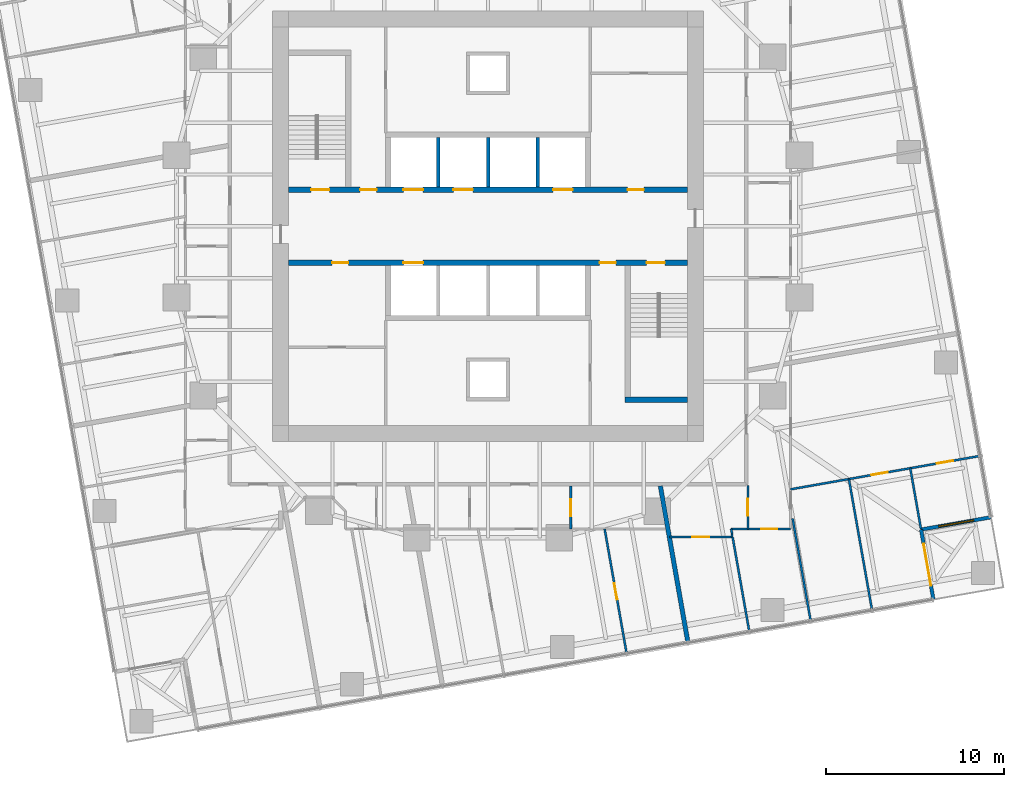
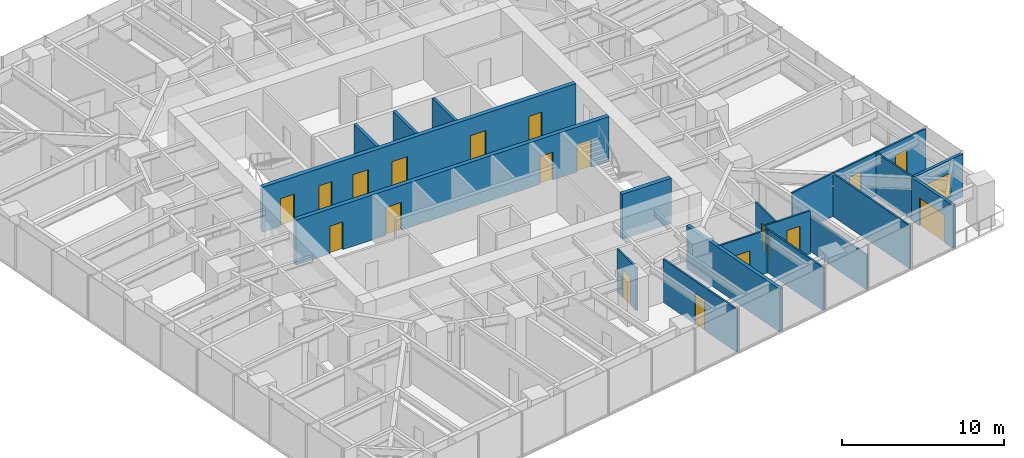
# One storey, part 10 of 14: 21 walls, 18 doors, 1 window, 19 openings.
"""IFC4 building model written with IfcOpenShell, lengths in metres."""

from ifc_helpers import new_model, si_unit, direction, frame, frame_2d, origin, place, context, subcontext, project, spatial, rectangle, extrude, material, layer, layer_set, type_object, element, fill, save


model = new_model("IFC4")

# Units and contexts
model_context = context("Model", 3, precision=1e-05, world=origin(), true_north=direction((0.0, 1.0)))
body_context = subcontext(model_context, "Body", "Model", "MODEL_VIEW")
ifc_project = project(units=[si_unit("LENGTHUNIT", "METRE"), si_unit("AREAUNIT", "SQUARE_METRE"), si_unit("VOLUMEUNIT", "CUBIC_METRE"), si_unit("PLANEANGLEUNIT", "RADIAN"), si_unit("MASSUNIT", "GRAM", prefix="KILO")], contexts=[model_context])

# Site, building, storey
site_placement = place(None, origin())
site = spatial("IfcSite", under=ifc_project, at=site_placement, CompositionType="ELEMENT")
building_placement = place(site_placement, origin())
building = spatial("IfcBuilding", under=site, at=building_placement, Name="Torsade Residences", CompositionType="ELEMENT")
storey_placement = place(building_placement, frame((0.0, 0.0, 79.39990234375)))
storey = spatial("IfcBuildingStorey", under=building, at=storey_placement, Name="L21", CompositionType="ELEMENT", Elevation=79.39990234375)

# Wall, openings, doors
ifc_material_1 = material(Name="Concrete 80 MPa", Category="concrete")
ifc_layer_1 = layer(ifc_material_1, 0.300048828125)
ifc_layer_set_1 = layer_set([ifc_layer_1], Name="Concrete 80 MPa")
wall_type_1 = type_object("IfcWallType", Name="CORE INTERNAL WALL 300", PredefinedType="SHEAR", material=ifc_layer_set_1)
wall_1_placement = place(storey_placement, frame((28.800048828125, 32.050048828125, 0.0), z_axis=(0.0, 0.0, 1.0), x_axis=(1.0, 0.0, 0.0)))
wall_1 = element("IfcWall", 1, at=wall_1_placement, inside=storey, type_object=wall_type_1, Name="Core wall LN L21", PredefinedType="SHEAR", context=body_context, shape_type="SweptSolid", body=[
    extrude(rectangle(XDim=22.39990234375, YDim=0.300048828125, at=frame_2d((11.199951171875, 0.0))), origin(), (0.0, 0.0, 1.0), 3.400146484375),
])
opening_1_placement = place(wall_1_placement, frame((19.0400390625, 0.0, 0.0)))
opening_1 = element("IfcOpeningElement", 2, at=opening_1_placement, cuts=wall_1, Name="Opening D06", PredefinedType="OPENING", context=body_context, shape_type="SweptSolid", body=[
    extrude(rectangle(XDim=0.919921875, YDim=2.10009765625, at=frame_2d((0.4599609375, 1.050048828125))), frame((0.0, 0.159912109375, 0.0), z_axis=(0.0, -1.0, 0.0), x_axis=(1.0, 0.0, 0.0)), (0.0, 0.0, 1.0), 0.320068359375),
])
opening_2_placement = place(wall_1_placement, frame((1.264892578125, 0.0, 0.0)))
opening_2 = element("IfcOpeningElement", 3, at=opening_2_placement, cuts=wall_1, Name="Opening D03", PredefinedType="OPENING", context=body_context, shape_type="SweptSolid", body=[
    extrude(rectangle(XDim=1.02001953125, YDim=2.10009765625, at=frame_2d((0.510009765625, 1.050048828125))), frame((0.0, 0.159912109375, 0.0), z_axis=(0.0, -1.0, 0.0), x_axis=(1.0, 0.0, 0.0)), (0.0, 0.0, 1.0), 0.320068359375),
])
opening_3_placement = place(wall_1_placement, frame((4.014892578125, 0.0, 0.0)))
opening_3 = element("IfcOpeningElement", 4, at=opening_3_placement, cuts=wall_1, Name="Opening D06", PredefinedType="OPENING", context=body_context, shape_type="SweptSolid", body=[
    extrude(rectangle(XDim=0.919921875, YDim=2.10009765625, at=frame_2d((0.4599609375, 1.050048828125))), frame((0.0, 0.159912109375, 0.0), z_axis=(0.0, -1.0, 0.0), x_axis=(1.0, 0.0, 0.0)), (0.0, 0.0, 1.0), 0.320068359375),
])
opening_4_placement = place(wall_1_placement, frame((6.449951171875, 0.0, 0.0)))
opening_4 = element("IfcOpeningElement", 5, at=opening_4_placement, cuts=wall_1, Name="Opening LD", PredefinedType="OPENING", context=body_context, shape_type="SweptSolid", body=[
    extrude(rectangle(XDim=1.10009765625, YDim=2.10009765625, at=frame_2d((0.550048828125, 1.050048828125))), frame((0.0, 0.159912109375, 0.0), z_axis=(0.0, -1.0, 0.0), x_axis=(1.0, 0.0, 0.0)), (0.0, 0.0, 1.0), 0.320068359375),
])
opening_5_placement = place(wall_1_placement, frame((9.25, 0.0, 0.0)))
opening_5 = element("IfcOpeningElement", 6, at=opening_5_placement, cuts=wall_1, Name="Opening LD", PredefinedType="OPENING", context=body_context, shape_type="SweptSolid", body=[
    extrude(rectangle(XDim=1.10009765625, YDim=2.10009765625, at=frame_2d((0.550048828125, 1.050048828125))), frame((0.0, 0.159912109375, 0.0), z_axis=(0.0, -1.0, 0.0), x_axis=(1.0, 0.0, 0.0)), (0.0, 0.0, 1.0), 0.320068359375),
])
opening_6_placement = place(wall_1_placement, frame((14.85009765625, 0.0, 0.0)))
opening_6 = element("IfcOpeningElement", 7, at=opening_6_placement, cuts=wall_1, Name="Opening LD", PredefinedType="OPENING", context=body_context, shape_type="SweptSolid", body=[
    extrude(rectangle(XDim=1.10009765625, YDim=2.10009765625, at=frame_2d((0.550048828125, 1.050048828125))), frame((0.0, 0.159912109375, 0.0), z_axis=(0.0, -1.0, 0.0), x_axis=(1.0, 0.0, 0.0)), (0.0, 0.0, 1.0), 0.320068359375),
])
ifc_material_2 = material(Name="Steel-framed fire door", Category="steel")
door_type_1 = type_object("IfcDoorType", Name="FIRE DOOR 1020", OperationType="NOTDEFINED", PredefinedType="DOOR", material=ifc_material_2)
door_1_placement = place(opening_2_placement, origin())
door_1 = element("IfcDoor", 8, at=door_1_placement, inside=storey, type_object=door_type_1, Name="Exit door to fire-isolated stair ST1 L21", OperationType="SINGLE_SWING_RIGHT", OverallHeight=2.10009765625, OverallWidth=1.02001953125, PredefinedType="DOOR", context=body_context, shape_type="SweptSolid", body=[
    extrude(rectangle(XDim=1.02001953125, YDim=2.10009765625, at=frame_2d((0.510009765625, 1.050048828125))), frame((0.0, 0.02490234375, 0.0), z_axis=(0.0, -1.0, 0.0), x_axis=(1.0, 0.0, 0.0)), (0.0, 0.0, 1.0), 0.050048828125),
])
fill(opening_2, door_1)
ifc_material_3 = material(Name="Steel-framed fire door", Category="steel")
door_type_2 = type_object("IfcDoorType", Name="FIRE DOOR 920", OperationType="NOTDEFINED", PredefinedType="DOOR", material=ifc_material_3)
door_2_placement = place(opening_1_placement, origin())
door_2 = element("IfcDoor", 9, at=door_2_placement, inside=storey, type_object=door_type_2, Name="Door Lift lobby to Refuse room", OperationType="SINGLE_SWING_LEFT", OverallHeight=2.10009765625, OverallWidth=0.919921875, PredefinedType="DOOR", context=body_context, shape_type="SweptSolid", body=[
    extrude(rectangle(XDim=0.919921875, YDim=2.10009765625, at=frame_2d((0.4599609375, 1.050048828125))), frame((0.0, 0.02490234375, 0.0), z_axis=(0.0, -1.0, 0.0), x_axis=(1.0, 0.0, 0.0)), (0.0, 0.0, 1.0), 0.050048828125),
])
fill(opening_1, door_2)
door_3_placement = place(opening_3_placement, origin())
door_3 = element("IfcDoor", 10, at=door_3_placement, inside=storey, type_object=door_type_2, Name="Door Lift lobby to Meter store", OperationType="SINGLE_SWING_LEFT", OverallHeight=2.10009765625, OverallWidth=0.919921875, PredefinedType="DOOR", context=body_context, shape_type="SweptSolid", body=[
    extrude(rectangle(XDim=0.919921875, YDim=2.10009765625, at=frame_2d((0.4599609375, 1.050048828125))), frame((0.0, 0.02490234375, 0.0), z_axis=(0.0, -1.0, 0.0), x_axis=(1.0, 0.0, 0.0)), (0.0, 0.0, 1.0), 0.050048828125),
])
fill(opening_3, door_3)
ifc_material_4 = material(Name="Stainless steel lift landing door", Category="steel")
door_type_3 = type_object("IfcDoorType", Name="LIFT LANDING DOOR 1100", OperationType="SLIDING_TO_LEFT", PredefinedType="DOOR", material=ifc_material_4)
door_4_placement = place(opening_4_placement, origin())
door_4 = element("IfcDoor", 11, at=door_4_placement, inside=storey, type_object=door_type_3, Name="Lift LA1 landing door L21", OperationType="SLIDING_TO_LEFT", OverallHeight=2.10009765625, OverallWidth=1.10009765625, PredefinedType="DOOR", context=body_context, shape_type="SweptSolid", body=[
    extrude(rectangle(XDim=1.10009765625, YDim=2.10009765625, at=frame_2d((0.550048828125, 1.050048828125))), frame((0.0, 0.02490234375, 0.0), z_axis=(0.0, -1.0, 0.0), x_axis=(1.0, 0.0, 0.0)), (0.0, 0.0, 1.0), 0.050048828125),
])
fill(opening_4, door_4)
door_5_placement = place(opening_5_placement, origin())
door_5 = element("IfcDoor", 12, at=door_5_placement, inside=storey, type_object=door_type_3, Name="Lift LA2 landing door L21", OperationType="SLIDING_TO_LEFT", OverallHeight=2.10009765625, OverallWidth=1.10009765625, PredefinedType="DOOR", context=body_context, shape_type="SweptSolid", body=[
    extrude(rectangle(XDim=1.10009765625, YDim=2.10009765625, at=frame_2d((0.550048828125, 1.050048828125))), frame((0.0, 0.02490234375, 0.0), z_axis=(0.0, -1.0, 0.0), x_axis=(1.0, 0.0, 0.0)), (0.0, 0.0, 1.0), 0.050048828125),
])
fill(opening_5, door_5)
door_6_placement = place(opening_6_placement, origin())
door_6 = element("IfcDoor", 13, at=door_6_placement, inside=storey, type_object=door_type_3, Name="Lift FL1 landing door L21", OperationType="SLIDING_TO_LEFT", OverallHeight=2.10009765625, OverallWidth=1.10009765625, PredefinedType="DOOR", context=body_context, shape_type="SweptSolid", body=[
    extrude(rectangle(XDim=1.10009765625, YDim=2.10009765625, at=frame_2d((0.550048828125, 1.050048828125))), frame((0.0, 0.02490234375, 0.0), z_axis=(0.0, -1.0, 0.0), x_axis=(1.0, 0.0, 0.0)), (0.0, 0.0, 1.0), 0.050048828125),
])
fill(opening_6, door_6)

wall_2_placement = place(storey_placement, frame((51.199951171875, 27.949951171875, 0.0), z_axis=(0.0, 0.0, 1.0), x_axis=(-1.0, 0.0, 0.0)))
wall_2 = element("IfcWall", 14, at=wall_2_placement, inside=storey, type_object=wall_type_1, Name="Core wall LS L21", PredefinedType="SHEAR", context=body_context, shape_type="SweptSolid", body=[
    extrude(rectangle(XDim=22.39990234375, YDim=0.300048828125, at=frame_2d((11.199951171875, 0.0))), origin(), (0.0, 0.0, 1.0), 3.400146484375),
])
opening_7_placement = place(wall_2_placement, frame((19.0400390625, 0.0, 0.0)))
opening_7 = element("IfcOpeningElement", 15, at=opening_7_placement, cuts=wall_2, Name="Opening D06", PredefinedType="OPENING", context=body_context, shape_type="SweptSolid", body=[
    extrude(rectangle(XDim=0.919921875, YDim=2.10009765625, at=frame_2d((0.4599609375, 1.050048828125))), frame((0.0, 0.159912109375, 0.0), z_axis=(0.0, -1.0, 0.0), x_axis=(1.0, 0.0, 0.0)), (0.0, 0.0, 1.0), 0.320068359375),
])
opening_8_placement = place(wall_2_placement, frame((1.264892578125, 0.0, 0.0)))
opening_8 = element("IfcOpeningElement", 16, at=opening_8_placement, cuts=wall_2, Name="Opening D03", PredefinedType="OPENING", context=body_context, shape_type="SweptSolid", body=[
    extrude(rectangle(XDim=1.02001953125, YDim=2.10009765625, at=frame_2d((0.510009765625, 1.050048828125))), frame((0.0, 0.159912109375, 0.0), z_axis=(0.0, -1.0, 0.0), x_axis=(1.0, 0.0, 0.0)), (0.0, 0.0, 1.0), 0.320068359375),
])
opening_9_placement = place(wall_2_placement, frame((4.014892578125, 0.0, 0.0)))
opening_9 = element("IfcOpeningElement", 17, at=opening_9_placement, cuts=wall_2, Name="Opening D06", PredefinedType="OPENING", context=body_context, shape_type="SweptSolid", body=[
    extrude(rectangle(XDim=0.919921875, YDim=2.10009765625, at=frame_2d((0.4599609375, 1.050048828125))), frame((0.0, 0.159912109375, 0.0), z_axis=(0.0, -1.0, 0.0), x_axis=(1.0, 0.0, 0.0)), (0.0, 0.0, 1.0), 0.320068359375),
])
opening_10_placement = place(wall_2_placement, frame((14.85009765625, 0.0, 0.0)))
opening_10 = element("IfcOpeningElement", 18, at=opening_10_placement, cuts=wall_2, Name="Opening LD", PredefinedType="OPENING", context=body_context, shape_type="SweptSolid", body=[
    extrude(rectangle(XDim=1.10009765625, YDim=2.10009765625, at=frame_2d((0.550048828125, 1.050048828125))), frame((0.0, 0.159912109375, 0.0), z_axis=(0.0, -1.0, 0.0), x_axis=(1.0, 0.0, 0.0)), (0.0, 0.0, 1.0), 0.320068359375),
])
door_7_placement = place(opening_8_placement, origin())
door_7 = element("IfcDoor", 19, at=door_7_placement, inside=storey, type_object=door_type_1, Name="Exit door to fire-isolated stair ST2 L21", OperationType="SINGLE_SWING_RIGHT", OverallHeight=2.10009765625, OverallWidth=1.02001953125, PredefinedType="DOOR", context=body_context, shape_type="SweptSolid", body=[
    extrude(rectangle(XDim=1.02001953125, YDim=2.10009765625, at=frame_2d((0.510009765625, 1.050048828125))), frame((0.0, 0.02490234375, 0.0), z_axis=(0.0, -1.0, 0.0), x_axis=(1.0, 0.0, 0.0)), (0.0, 0.0, 1.0), 0.050048828125),
])
fill(opening_8, door_7)
door_8_placement = place(opening_7_placement, origin())
door_8 = element("IfcDoor", 20, at=door_8_placement, inside=storey, type_object=door_type_2, Name="Door Lift lobby to Cleaner store", OperationType="SINGLE_SWING_LEFT", OverallHeight=2.10009765625, OverallWidth=0.919921875, PredefinedType="DOOR", context=body_context, shape_type="SweptSolid", body=[
    extrude(rectangle(XDim=0.919921875, YDim=2.10009765625, at=frame_2d((0.4599609375, 1.050048828125))), frame((0.0, 0.02490234375, 0.0), z_axis=(0.0, -1.0, 0.0), x_axis=(1.0, 0.0, 0.0)), (0.0, 0.0, 1.0), 0.050048828125),
])
fill(opening_7, door_8)
door_9_placement = place(opening_9_placement, origin())
door_9 = element("IfcDoor", 21, at=door_9_placement, inside=storey, type_object=door_type_2, Name="Door Lift lobby to Communications equipment store", OperationType="SINGLE_SWING_RIGHT", OverallHeight=2.10009765625, OverallWidth=0.919921875, PredefinedType="DOOR", context=body_context, shape_type="SweptSolid", body=[
    extrude(rectangle(XDim=0.919921875, YDim=2.10009765625, at=frame_2d((0.4599609375, 1.050048828125))), frame((0.0, 0.02490234375, 0.0), z_axis=(0.0, -1.0, 0.0), x_axis=(1.0, 0.0, 0.0)), (0.0, 0.0, 1.0), 0.050048828125),
])
fill(opening_9, door_9)
door_10_placement = place(opening_10_placement, origin())
door_10 = element("IfcDoor", 22, at=door_10_placement, inside=storey, type_object=door_type_3, Name="Lift FL2 landing door L21", OperationType="SLIDING_TO_LEFT", OverallHeight=2.10009765625, OverallWidth=1.10009765625, PredefinedType="DOOR", context=body_context, shape_type="SweptSolid", body=[
    extrude(rectangle(XDim=1.10009765625, YDim=2.10009765625, at=frame_2d((0.550048828125, 1.050048828125))), frame((0.0, 0.02490234375, 0.0), z_axis=(0.0, -1.0, 0.0), x_axis=(1.0, 0.0, 0.0)), (0.0, 0.0, 1.0), 0.050048828125),
])
fill(opening_10, door_10)

# Walls
wall_3_placement = place(storey_placement, frame((51.199951171875, 20.25, 0.0), z_axis=(0.0, 0.0, 1.0), x_axis=(-1.0, 0.0, 0.0)))
element("IfcWall", 23, at=wall_3_placement, inside=storey, type_object=wall_type_1, Name="Core wall ST2S L21", PredefinedType="SHEAR", context=body_context, shape_type="SweptSolid", body=[
    extrude(rectangle(XDim=3.5, YDim=0.300048828125, at=frame_2d((1.75, 0.0))), origin(), (0.0, 0.0, 1.0), 3.400146484375),
])
ifc_material_5 = material(Name="Reinforced blockwork", Category="masonry")
ifc_layer_2 = layer(ifc_material_5, 0.199951171875)
ifc_layer_set_2 = layer_set([ifc_layer_2], Name="Reinforced blockwork")
wall_type_2 = type_object("IfcWallType", Name="LIFT SHAFT DIVIDING WALL 200", PredefinedType="SOLIDWALL", material=ifc_layer_set_2)
for number, where, z_axis, x_axis, name in (
    (24, (37.199951171875, 32.199951171875, 0.0), (0.0, 0.0, 1.0), (0.0, 1.0, 0.0), "Core wall DN1 L21"),
    (25, (40.0, 32.199951171875, 0.0), (0.0, 0.0, 1.0), (0.0, 1.0, 0.0), "Core wall DN2 L21"),
    (26, (42.800048828125, 32.199951171875, 0.0), (0.0, 0.0, 1.0), (0.0, 1.0, 0.0), "Core wall DN3 L21"),
):
    element("IfcWall", number, at=place(storey_placement, frame(where, z_axis=z_axis, x_axis=x_axis)), inside=storey, type_object=wall_type_2, Name=name, PredefinedType="SOLIDWALL", context=body_context, shape_type="SweptSolid", body=[
        extrude(rectangle(XDim=2.800048828125, YDim=0.199951171875, at=frame_2d((1.39990234375, 0.0))), origin(), (0.0, 0.0, 1.0), 3.400146484375),
    ])

# Wall, opening, door
ifc_material_6 = material(Name="Plasterboard on steel stud", Category="steel")
ifc_layer_3 = layer(ifc_material_6, 0.1201171875)
ifc_layer_set_3 = layer_set([ifc_layer_3], Name="Plasterboard on steel stud")
wall_type_3 = type_object("IfcWallType", Name="PARTITION 120", PredefinedType="PARTITIONING", material=ifc_layer_set_3)
wall_4_placement = place(storey_placement, frame((44.646728515625, 15.39990234375, 0.0), z_axis=(0.0, 0.0, 1.0), x_axis=(0.0, -1.0, 0.0)))
wall_4 = element("IfcWall", 27, at=wall_4_placement, inside=storey, type_object=wall_type_3, Name="Partition L21", PredefinedType="PARTITIONING", context=body_context, shape_type="SweptSolid", body=[
    extrude(rectangle(XDim=2.39990234375, YDim=0.1201171875, at=frame_2d((1.199951171875, 0.0))), origin(), (0.0, 0.0, 1.0), 3.25),
])
opening_11_placement = place(wall_4_placement, frame((0.719970703125, 0.0, 0.0)))
opening_11 = element("IfcOpeningElement", 28, at=opening_11_placement, cuts=wall_4, Name="Opening D05", PredefinedType="OPENING", context=body_context, shape_type="SweptSolid", body=[
    extrude(rectangle(XDim=0.9599609375, YDim=2.10009765625, at=frame_2d((0.47998046875, 1.050048828125))), frame((0.0, 0.070068359375, 0.0), z_axis=(0.0, -1.0, 0.0), x_axis=(1.0, 0.0, 0.0)), (0.0, 0.0, 1.0), 0.14013671875),
])
ifc_material_7 = material(Name="Hollow-core timber door in a steel cavity frame", Category="steel")
door_type_4 = type_object("IfcDoorType", Name="BATHROOM CAVITY SLIDING DOOR 960", OperationType="SLIDING_TO_LEFT", PredefinedType="DOOR", material=ifc_material_7)
door_11_placement = place(opening_11_placement, origin())
door_11 = element("IfcDoor", 29, at=door_11_placement, inside=storey, type_object=door_type_4, Name="Door Kitchen and dining to Bathroom", OperationType="SLIDING_TO_LEFT", OverallHeight=2.10009765625, OverallWidth=0.9599609375, PredefinedType="DOOR", context=body_context, shape_type="SweptSolid", body=[
    extrude(rectangle(XDim=0.9599609375, YDim=2.10009765625, at=frame_2d((0.47998046875, 1.050048828125))), frame((0.0, 0.02490234375, 0.0), z_axis=(0.0, -1.0, 0.0), x_axis=(1.0, 0.0, 0.0)), (0.0, 0.0, 1.0), 0.050048828125),
])
fill(opening_11, door_11)

wall_5_placement = place(storey_placement, frame((46.551513671875, 13.0, 0.0), z_axis=(0.0, 0.0, 1.0), x_axis=(0.173639776761, -0.984809234282, 0.0)))
wall_5 = element("IfcWall", 30, at=wall_5_placement, inside=storey, type_object=wall_type_3, Name="Partition L21", PredefinedType="PARTITIONING", context=body_context, shape_type="SweptSolid", body=[
    extrude(rectangle(XDim=7.080810546875, YDim=0.1201171875, at=frame_2d((3.54052734375, 0.0))), origin(), (0.0, 0.0, 1.0), 3.25),
])
opening_12_placement = place(wall_5_placement, frame((3.100341796875, 0.0, 0.0)))
opening_12 = element("IfcOpeningElement", 31, at=opening_12_placement, cuts=wall_5, Name="Opening D02", PredefinedType="OPENING", context=body_context, shape_type="SweptSolid", body=[
    extrude(rectangle(XDim=0.919921875, YDim=2.340087890625, at=frame_2d((0.4599609375, 1.169921875))), frame((0.0, 0.070068359375, 0.0), z_axis=(0.0, -1.0, 0.0), x_axis=(1.0, 0.0, 0.0)), (0.0, 0.0, 1.0), 0.14013671875),
])
ifc_material_8 = material(Name="Hollow-core timber door", Category="wood")
door_type_5 = type_object("IfcDoorType", Name="INTERNAL DOOR 920x2340", OperationType="NOTDEFINED", PredefinedType="DOOR", material=ifc_material_8)
door_12_placement = place(opening_12_placement, origin())
door_12 = element("IfcDoor", 32, at=door_12_placement, inside=storey, type_object=door_type_5, Name="Door Living room to Bedroom 2", OperationType="SINGLE_SWING_RIGHT", OverallHeight=2.340087890625, OverallWidth=0.919921875, PredefinedType="DOOR", context=body_context, shape_type="SweptSolid", body=[
    extrude(rectangle(XDim=0.919921875, YDim=2.340087890625, at=frame_2d((0.4599609375, 1.169921875))), frame((0.0, 0.02490234375, 0.0), z_axis=(0.0, -1.0, 0.0), x_axis=(1.0, 0.0, 0.0)), (0.0, 0.0, 1.0), 0.050048828125),
])
fill(opening_12, door_12)

wall_6_placement = place(storey_placement, frame((54.60009765625, 13.0, 0.0), z_axis=(0.0, 0.0, 1.0), x_axis=(0.0, 1.0, 0.0)))
wall_6 = element("IfcWall", 33, at=wall_6_placement, inside=storey, type_object=wall_type_3, Name="Partition L21", PredefinedType="PARTITIONING", context=body_context, shape_type="SweptSolid", body=[
    extrude(rectangle(XDim=2.449951171875, YDim=0.1201171875, at=frame_2d((1.22509765625, 0.0))), origin(), (0.0, 0.0, 1.0), 3.25),
])
opening_13_placement = place(wall_6_placement, frame((0.7451171875, 0.0, 0.0)))
opening_13 = element("IfcOpeningElement", 34, at=opening_13_placement, cuts=wall_6, Name="Opening D05", PredefinedType="OPENING", context=body_context, shape_type="SweptSolid", body=[
    extrude(rectangle(XDim=0.9599609375, YDim=2.10009765625, at=frame_2d((0.47998046875, 1.050048828125))), frame((0.0, 0.070068359375, 0.0), z_axis=(0.0, -1.0, 0.0), x_axis=(1.0, 0.0, 0.0)), (0.0, 0.0, 1.0), 0.14013671875),
])
door_13_placement = place(opening_13_placement, origin())
door_13 = element("IfcDoor", 35, at=door_13_placement, inside=storey, type_object=door_type_4, Name="Door Kitchen and dining to Bathroom", OperationType="SLIDING_TO_LEFT", OverallHeight=2.10009765625, OverallWidth=0.9599609375, PredefinedType="DOOR", context=body_context, shape_type="SweptSolid", body=[
    extrude(rectangle(XDim=0.9599609375, YDim=2.10009765625, at=frame_2d((0.47998046875, 1.050048828125))), frame((0.0, 0.02490234375, 0.0), z_axis=(0.0, -1.0, 0.0), x_axis=(1.0, 0.0, 0.0)), (0.0, 0.0, 1.0), 0.050048828125),
])
fill(opening_13, door_13)

wall_7_placement = place(storey_placement, frame((57.0, 13.0, 0.0), z_axis=(0.0, 0.0, 1.0), x_axis=(-1.0, 0.0, 0.0)))
wall_7 = element("IfcWall", 36, at=wall_7_placement, inside=storey, type_object=wall_type_3, Name="Partition L21", PredefinedType="PARTITIONING", context=body_context, shape_type="SweptSolid", body=[
    extrude(rectangle(XDim=3.34033203125, YDim=0.1201171875, at=frame_2d((1.670166015625, 0.0))), origin(), (0.0, 0.0, 1.0), 3.25),
])
opening_14_placement = place(wall_7_placement, frame((0.739990234375, 0.0, 0.0)))
opening_14 = element("IfcOpeningElement", 37, at=opening_14_placement, cuts=wall_7, Name="Opening D02", PredefinedType="OPENING", context=body_context, shape_type="SweptSolid", body=[
    extrude(rectangle(XDim=0.919921875, YDim=2.340087890625, at=frame_2d((0.4599609375, 1.169921875))), frame((0.0, 0.070068359375, 0.0), z_axis=(0.0, -1.0, 0.0), x_axis=(1.0, 0.0, 0.0)), (0.0, 0.0, 1.0), 0.14013671875),
])
door_14_placement = place(opening_14_placement, origin())
door_14 = element("IfcDoor", 38, at=door_14_placement, inside=storey, type_object=door_type_5, Name="Door Kitchen and dining to Family room", OperationType="SINGLE_SWING_LEFT", OverallHeight=2.340087890625, OverallWidth=0.919921875, PredefinedType="DOOR", context=body_context, shape_type="SweptSolid", body=[
    extrude(rectangle(XDim=0.919921875, YDim=2.340087890625, at=frame_2d((0.4599609375, 1.169921875))), frame((0.0, 0.02490234375, 0.0), z_axis=(0.0, -1.0, 0.0), x_axis=(1.0, 0.0, 0.0)), (0.0, 0.0, 1.0), 0.050048828125),
])
fill(opening_14, door_14)

wall_8_placement = place(storey_placement, frame((53.710205078125, 12.550048828125, 0.0), z_axis=(0.0, 0.0, 1.0), x_axis=(-1.0, 0.0, 0.0)))
wall_8 = element("IfcWall", 39, at=wall_8_placement, inside=storey, type_object=wall_type_3, Name="Partition L21", PredefinedType="PARTITIONING", context=body_context, shape_type="SweptSolid", body=[
    extrude(rectangle(XDim=3.525390625, YDim=0.1201171875, at=frame_2d((1.7626953125, 0.0))), origin(), (0.0, 0.0, 1.0), 3.25),
])
opening_15_placement = place(wall_8_placement, frame((1.28271484375, 0.0, 0.0)))
opening_15 = element("IfcOpeningElement", 40, at=opening_15_placement, cuts=wall_8, Name="Opening D05", PredefinedType="OPENING", context=body_context, shape_type="SweptSolid", body=[
    extrude(rectangle(XDim=0.9599609375, YDim=2.10009765625, at=frame_2d((0.47998046875, 1.050048828125))), frame((0.0, 0.070068359375, 0.0), z_axis=(0.0, -1.0, 0.0), x_axis=(1.0, 0.0, 0.0)), (0.0, 0.0, 1.0), 0.14013671875),
])
door_15_placement = place(opening_15_placement, origin())
door_15 = element("IfcDoor", 41, at=door_15_placement, inside=storey, type_object=door_type_4, Name="Door Bathroom to Study", OperationType="SLIDING_TO_LEFT", OverallHeight=2.10009765625, OverallWidth=0.9599609375, PredefinedType="DOOR", context=body_context, shape_type="SweptSolid", body=[
    extrude(rectangle(XDim=0.9599609375, YDim=2.10009765625, at=frame_2d((0.47998046875, 1.050048828125))), frame((0.0, 0.02490234375, 0.0), z_axis=(0.0, -1.0, 0.0), x_axis=(1.0, 0.0, 0.0)), (0.0, 0.0, 1.0), 0.050048828125),
])
fill(opening_15, door_15)

# Wall
wall_9_placement = place(storey_placement, frame((53.65966796875, 13.0, 0.0), z_axis=(0.0, 0.0, 1.0), x_axis=(0.172927442902, -0.984934566096, 0.0)))
element("IfcWall", 42, at=wall_9_placement, inside=storey, type_object=wall_type_3, Name="Partition L21", PredefinedType="PARTITIONING", context=body_context, shape_type="SweptSolid", body=[
    extrude(rectangle(XDim=0.292236328125, YDim=0.1201171875, at=frame_2d((0.14599609375, 0.0))), origin(), (0.0, 0.0, 1.0), 3.25),
])

# Wall, openings, doors
wall_10_placement = place(storey_placement, frame((67.61962890625, 17.10009765625, 0.0), z_axis=(0.0, 0.0, 1.0), x_axis=(-0.984807253583, -0.173651010046, 0.0)))
wall_10 = element("IfcWall", 43, at=wall_10_placement, inside=storey, type_object=wall_type_3, Name="Partition L21", PredefinedType="PARTITIONING", context=body_context, shape_type="SweptSolid", body=[
    extrude(rectangle(XDim=10.783447265625, YDim=0.1201171875, at=frame_2d((5.3916015625, 0.0))), origin(), (0.0, 0.0, 1.0), 3.25),
])
opening_16_placement = place(wall_10_placement, frame((1.52490234375, 0.0, 0.0)))
opening_16 = element("IfcOpeningElement", 44, at=opening_16_placement, cuts=wall_10, Name="Opening D02", PredefinedType="OPENING", context=body_context, shape_type="SweptSolid", body=[
    extrude(rectangle(XDim=0.919921875, YDim=2.340087890625, at=frame_2d((0.4599609375, 1.169921875))), frame((0.0, 0.070068359375, 0.0), z_axis=(0.0, -1.0, 0.0), x_axis=(1.0, 0.0, 0.0)), (0.0, 0.0, 1.0), 0.14013671875),
])
opening_17_placement = place(wall_10_placement, frame((5.25, 0.0, 0.0)))
opening_17 = element("IfcOpeningElement", 45, at=opening_17_placement, cuts=wall_10, Name="Opening D02", PredefinedType="OPENING", context=body_context, shape_type="SweptSolid", body=[
    extrude(rectangle(XDim=0.919921875, YDim=2.340087890625, at=frame_2d((0.4599609375, 1.169921875))), frame((0.0, 0.070068359375, 0.0), z_axis=(0.0, -1.0, 0.0), x_axis=(1.0, 0.0, 0.0)), (0.0, 0.0, 1.0), 0.14013671875),
])
door_16_placement = place(opening_16_placement, origin())
door_16 = element("IfcDoor", 46, at=door_16_placement, inside=storey, type_object=door_type_5, Name="Door Living room to Media room", OperationType="SINGLE_SWING_RIGHT", OverallHeight=2.340087890625, OverallWidth=0.919921875, PredefinedType="DOOR", context=body_context, shape_type="SweptSolid", body=[
    extrude(rectangle(XDim=0.919921875, YDim=2.340087890625, at=frame_2d((0.4599609375, 1.169921875))), frame((0.0, 0.02490234375, 0.0), z_axis=(0.0, -1.0, 0.0), x_axis=(1.0, 0.0, 0.0)), (0.0, 0.0, 1.0), 0.050048828125),
])
fill(opening_16, door_16)
door_17_placement = place(opening_17_placement, origin())
door_17 = element("IfcDoor", 47, at=door_17_placement, inside=storey, type_object=door_type_5, Name="Door Living room to Bedroom 1", OperationType="SINGLE_SWING_LEFT", OverallHeight=2.340087890625, OverallWidth=0.919921875, PredefinedType="DOOR", context=body_context, shape_type="SweptSolid", body=[
    extrude(rectangle(XDim=0.919921875, YDim=2.340087890625, at=frame_2d((0.4599609375, 1.169921875))), frame((0.0, 0.02490234375, 0.0), z_axis=(0.0, -1.0, 0.0), x_axis=(1.0, 0.0, 0.0)), (0.0, 0.0, 1.0), 0.050048828125),
])
fill(opening_17, door_17)

# Walls
wall_11_placement = place(storey_placement, frame((61.568359375, 8.4580078125, 0.0), z_axis=(0.0, 0.0, 1.0), x_axis=(-0.173647177755, 0.984807929323, 0.0)))
element("IfcWall", 48, at=wall_11_placement, inside=storey, type_object=wall_type_3, Name="Partition L21", PredefinedType="PARTITIONING", context=body_context, shape_type="SweptSolid", body=[
    extrude(rectangle(XDim=7.4599609375, YDim=0.1201171875, at=frame_2d((3.72998046875, 0.0))), origin(), (0.0, 0.0, 1.0), 3.25),
])
wall_12_placement = place(storey_placement, frame((63.7197265625, 16.412353515625, 0.0), z_axis=(0.0, 0.0, 1.0), x_axis=(0.173660541335, -0.984805572884, 0.0)))
element("IfcWall", 49, at=wall_12_placement, inside=storey, type_object=wall_type_3, Name="Partition L21", PredefinedType="PARTITIONING", context=body_context, shape_type="SweptSolid", body=[
    extrude(rectangle(XDim=3.459716796875, YDim=0.1201171875, at=frame_2d((1.72998046875, 0.0))), origin(), (0.0, 0.0, 1.0), 3.25),
])
wall_13_placement = place(storey_placement, frame((58.12158203125, 7.850341796875, 0.0), z_axis=(0.0, 0.0, 1.0), x_axis=(-0.173634707655, 0.984810128044, 0.0)))
element("IfcWall", 50, at=wall_13_placement, inside=storey, type_object=wall_type_3, Name="Partition L21", PredefinedType="PARTITIONING", context=body_context, shape_type="SweptSolid", body=[
    extrude(rectangle(XDim=5.8251953125, YDim=0.1201171875, at=frame_2d((2.91259765625, 0.0))), origin(), (0.0, 0.0, 1.0), 2.63818359375),
])
wall_14_placement = place(storey_placement, frame((53.739013671875, 12.550048828125, 0.0), z_axis=(0.0, 0.0, 1.0), x_axis=(0.173632864151, -0.984810453076, 0.0)))
element("IfcWall", 51, at=wall_14_placement, inside=storey, type_object=wall_type_3, Name="Partition L21", PredefinedType="PARTITIONING", context=body_context, shape_type="SweptSolid", body=[
    extrude(rectangle(XDim=5.389404296875, YDim=0.1201171875, at=frame_2d((2.69482421875, 0.0))), origin(), (0.0, 0.0, 1.0), 3.25),
])
wall_15_placement = place(storey_placement, frame((53.710205078125, 12.712158203125, 0.0), z_axis=(0.0, 0.0, 1.0), x_axis=(0.0, -1.0, 0.0)))
element("IfcWall", 52, at=wall_15_placement, inside=storey, type_object=wall_type_3, Name="Partition L21", PredefinedType="PARTITIONING", context=body_context, shape_type="SweptSolid", body=[
    extrude(rectangle(XDim=0.162109375, YDim=0.1201171875, at=frame_2d((0.0810546875, 0.0))), origin(), (0.0, 0.0, 1.0), 3.25),
])
ifc_material_9 = material(Name="Masonry-lined stud party wall", Category="masonry")
ifc_layer_4 = layer(ifc_material_9, 0.25)
ifc_layer_set_4 = layer_set([ifc_layer_4], Name="Masonry-lined stud party wall")
wall_type_4 = type_object("IfcWallType", Name="PARTY WALL 250", PredefinedType="PARTITIONING", material=ifc_layer_set_4)
wall_16_placement = place(storey_placement, frame((51.23486328125, 6.595458984375, 0.0), z_axis=(0.0, 0.0, 1.0), x_axis=(-0.173654738504, 0.984806596137, 0.0)))
element("IfcWall", 53, at=wall_16_placement, inside=storey, type_object=wall_type_4, Name="Party wall L21", PredefinedType="PARTITIONING", context=body_context, shape_type="SweptSolid", body=[
    extrude(rectangle(XDim=8.958251953125, YDim=0.25, at=frame_2d((4.47900390625, 0.0))), origin(), (0.0, 0.0, 1.0), 3.25),
])

# Wall, opening, door
ifc_material_10 = material(Name="Stone-faced precast concrete 40 MPa panel", Category="masonry")
ifc_layer_5 = layer(ifc_material_10, 0.199951171875)
ifc_layer_set_5 = layer_set([ifc_layer_5], Name="Stone-faced precast concrete 40 MPa panel")
wall_type_5 = type_object("IfcWallType", Name="TERRACE WALL 200", PredefinedType="SOLIDWALL", material=ifc_layer_set_5)
wall_17_placement = place(storey_placement, frame((65.022216796875, 9.0263671875, 0.0), z_axis=(0.0, 0.0, 1.0), x_axis=(-0.173646056486, 0.984808127031, 0.0)))
wall_17 = element("IfcWall", 54, at=wall_17_placement, inside=storey, type_object=wall_type_5, Name="Terrace wall L21 2", PredefinedType="SOLIDWALL", context=body_context, shape_type="SweptSolid", body=[
    extrude(rectangle(XDim=4.0, YDim=0.199951171875, at=frame_2d((2.0, 0.0))), origin(), (0.0, 0.0, 1.0), 3.25),
])
opening_18_placement = place(wall_17_placement, frame((0.800048828125, 0.0, 0.0)))
opening_18 = element("IfcOpeningElement", 55, at=opening_18_placement, cuts=wall_17, Name="Opening D10A", PredefinedType="OPENING", context=body_context, shape_type="SweptSolid", body=[
    extrude(rectangle(XDim=2.39990234375, YDim=2.10009765625, at=frame_2d((1.199951171875, 1.050048828125))), frame((0.0, 0.10986328125, 0.0), z_axis=(0.0, -1.0, 0.0), x_axis=(1.0, 0.0, 0.0)), (0.0, 0.0, 1.0), 0.219970703125),
])
ifc_material_11 = material(Name="Aluminium-framed glass door", Category="aluminium")
door_type_6 = type_object("IfcDoorType", Name="TERRACE SLIDING DOOR 2400x2100", OperationType="SLIDING_TO_LEFT", PredefinedType="DOOR", material=ifc_material_11)
door_18_placement = place(opening_18_placement, origin())
door_18 = element("IfcDoor", 56, at=door_18_placement, inside=storey, type_object=door_type_6, Name="Terrace door L21 2", OperationType="SLIDING_TO_LEFT", OverallHeight=2.10009765625, OverallWidth=2.39990234375, PredefinedType="DOOR", context=body_context, shape_type="SweptSolid", body=[
    extrude(rectangle(XDim=2.39990234375, YDim=2.10009765625, at=frame_2d((1.199951171875, 1.050048828125))), frame((0.0, 0.02490234375, 0.0), z_axis=(0.0, -1.0, 0.0), x_axis=(1.0, 0.0, 0.0)), (0.0, 0.0, 1.0), 0.050048828125),
])
fill(opening_18, door_18)

# Wall, opening, window
wall_18_placement = place(storey_placement, frame((64.32763671875, 12.965576171875, 0.0), z_axis=(0.0, 0.0, 1.0), x_axis=(0.984808127031, 0.173646056486, 0.0)))
wall_18 = element("IfcWall", 57, at=wall_18_placement, inside=storey, type_object=wall_type_5, Name="Terrace wall L21 3", PredefinedType="SOLIDWALL", context=body_context, shape_type="SweptSolid", body=[
    extrude(rectangle(XDim=4.0, YDim=0.199951171875, at=frame_2d((2.0, 0.0))), origin(), (0.0, 0.0, 1.0), 3.25),
])
opening_19_placement = place(wall_18_placement, frame((1.0, 0.0, 0.449951171875)))
opening_19 = element("IfcOpeningElement", 58, at=opening_19_placement, cuts=wall_18, Name="Opening W1B", PredefinedType="OPENING", context=body_context, shape_type="SweptSolid", body=[
    extrude(rectangle(XDim=2.0, YDim=1.800048828125, at=frame_2d((1.0, 0.89990234375))), frame((0.0, 0.10986328125, 0.0), z_axis=(0.0, -1.0, 0.0), x_axis=(1.0, 0.0, 0.0)), (0.0, 0.0, 1.0), 0.219970703125),
])
ifc_material_12 = material(Name="Aluminium-framed glass window", Category="aluminium")
window_type = type_object("IfcWindowType", Name="TERRACE WINDOW 2000x1800", PartitioningType="SINGLE_PANEL", PredefinedType="WINDOW", material=ifc_material_12)
window_placement = place(opening_19_placement, origin())
window = element("IfcWindow", 59, at=window_placement, inside=storey, type_object=window_type, Name="Terrace window L21 3", OverallHeight=1.800048828125, OverallWidth=2.0, PartitioningType="SINGLE_PANEL", PredefinedType="WINDOW", context=body_context, shape_type="SweptSolid", body=[
    extrude(rectangle(XDim=2.0, YDim=1.800048828125, at=frame_2d((1.0, 0.89990234375))), frame((0.0, 0.030029296875, 0.0), z_axis=(0.0, -1.0, 0.0), x_axis=(1.0, 0.0, 0.0)), (0.0, 0.0, 1.0), 0.06005859375),
])
fill(opening_19, window)

save(model, "model.ifc")
